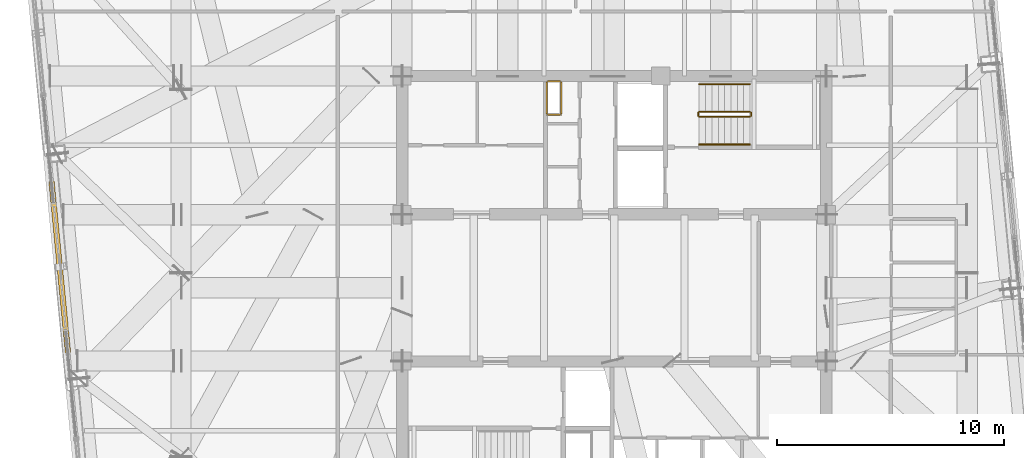
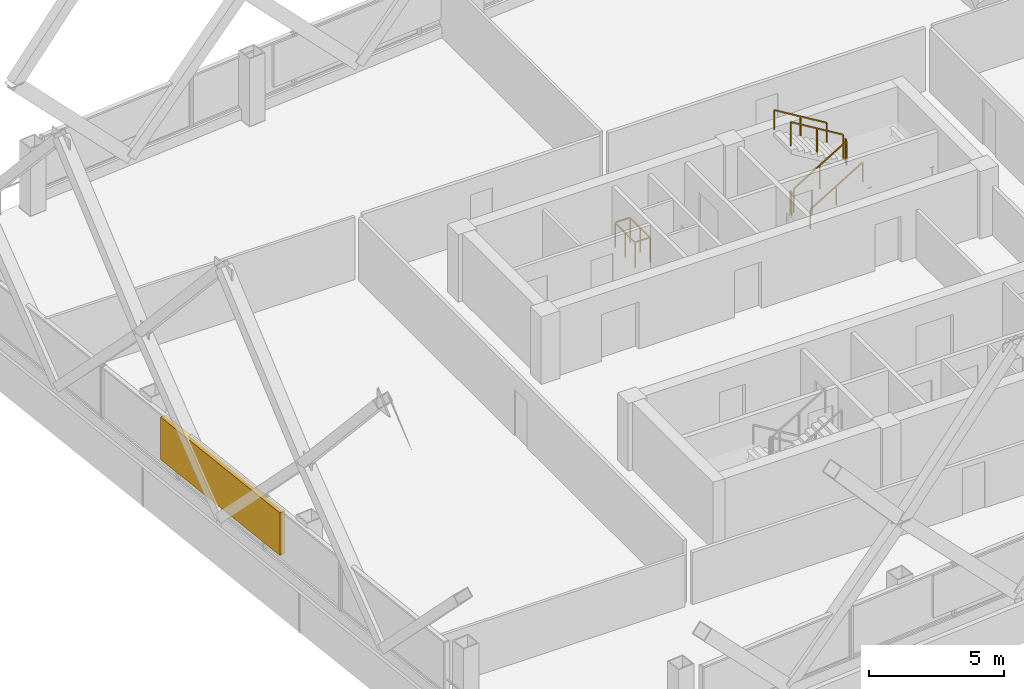
# One storey, part 36 of 37: 7 railings, 1 shading device.
"""IFC4 building model written with IfcOpenShell, lengths in metres."""

from ifc_helpers import new_model, si_unit, direction, frame, origin, origin_2d, place, context, subcontext, project, spatial, rectangle, extrude, material, type_object, element, save


model = new_model("IFC4")

# Units and contexts
model_context = context("Model", 3, precision=1e-05, world=origin(), true_north=direction((0.0, 1.0)))
body_context = subcontext(model_context, "Body", "Model", "MODEL_VIEW")
ifc_project = project(units=[si_unit("LENGTHUNIT", "METRE"), si_unit("AREAUNIT", "SQUARE_METRE"), si_unit("VOLUMEUNIT", "CUBIC_METRE"), si_unit("PLANEANGLEUNIT", "RADIAN"), si_unit("MASSUNIT", "GRAM", prefix="KILO")], contexts=[model_context])

# Site, building, storey
site_placement = place(None, origin())
site = spatial("IfcSite", under=ifc_project, at=site_placement, CompositionType="ELEMENT")
building_placement = place(site_placement, origin())
building = spatial("IfcBuilding", under=site, at=building_placement, Name="Qhalaya Broadcast Tower", CompositionType="ELEMENT")
storey_placement = place(building_placement, frame((0.0, 0.0, 156.14990234375)))
storey = spatial("IfcBuildingStorey", under=building, at=storey_placement, Name="L45", CompositionType="ELEMENT", Elevation=156.14990234375)

# Railings
ifc_material_1 = material(Name="Powder-Coated Galvanised Steel", Category="steel")
railing_type_1 = type_object("IfcRailingType", Name="Stair Wall Handrail 900", PredefinedType="HANDRAIL", material=ifc_material_1)
railing_1_placement = place(storey_placement, frame((3.75, 6.929931640625, 0.16943359375)))
element("IfcRailing", 1, at=railing_1_placement, inside=storey, type_object=railing_type_1, Name="L45 ST-1 Stair Handrail 1", PredefinedType="HANDRAIL", context=body_context, shape_type="SweptSolid", body=[
    extrude(rectangle(XDim=0.048095703125, YDim=0.048095703125, at=origin_2d()), frame((0.0, 0.0, 0.8759765625), z_axis=(0.855512035549, 0.0, 0.517782924622), x_axis=(0.0, 1.0, 0.0)), (0.0, 0.0, 1.0), 2.618408203125),
    extrude(rectangle(XDim=0.0419921875, YDim=0.0419921875, at=origin_2d()), origin(), (0.0, 0.0, 1.0), 0.849853515625),
    extrude(rectangle(XDim=0.0419921875, YDim=0.0419921875, at=origin_2d()), frame((1.1201171875, 0.0, 0.677734375)), (0.0, 0.0, 1.0), 0.849853515625),
    extrude(rectangle(XDim=0.0419921875, YDim=0.0419921875, at=origin_2d()), frame((2.239990234375, 0.0, 1.355712890625)), (0.0, 0.0, 1.0), 0.849853515625),
])
railing_2_placement = place(storey_placement, frame((5.989990234375, 9.590087890625, 1.694580078125)))
element("IfcRailing", 2, at=railing_2_placement, inside=storey, type_object=railing_type_1, Name="L45 ST-1 Stair Handrail 2", PredefinedType="HANDRAIL", context=body_context, shape_type="SweptSolid", body=[
    extrude(rectangle(XDim=0.048095703125, YDim=0.048095703125, at=origin_2d()), frame((0.0, 0.0, 0.8759765625), z_axis=(-0.855553338991, 0.0, 0.51771467445), x_axis=(0.0, -1.0, 0.0)), (0.0, 0.0, 1.0), 2.6181640625),
    extrude(rectangle(XDim=0.0419921875, YDim=0.0419921875, at=origin_2d()), origin(), (0.0, 0.0, 1.0), 0.849853515625),
    extrude(rectangle(XDim=0.0419921875, YDim=0.0419921875, at=origin_2d()), frame((-1.1201171875, 0.0, 0.677734375)), (0.0, 0.0, 1.0), 0.849853515625),
    extrude(rectangle(XDim=0.0419921875, YDim=0.0419921875, at=origin_2d()), frame((-2.239990234375, 0.0, 1.35546875)), (0.0, 0.0, 1.0), 0.849853515625),
])
railing_type_2 = type_object("IfcRailingType", Name="Stair Well & Landing Guardrail 1100", PredefinedType="GUARDRAIL", material=ifc_material_1)
railing_3_placement = place(storey_placement, frame((-2.340087890625, 8.239990234375, 0.0)))
element("IfcRailing", 3, at=railing_3_placement, inside=storey, type_object=railing_type_2, Name="L45 Service Riser Opening Safety Guard NRSR", PredefinedType="GUARDRAIL", context=body_context, shape_type="SweptSolid", body=[
    extrude(rectangle(XDim=0.048095703125, YDim=0.048095703125, at=origin_2d()), frame((0.0, 0.02880859375, 1.1259765625), z_axis=(0.0, 1.0, 0.0), x_axis=(-1.0, 0.0, 0.0)), (0.0, 0.0, 1.0), 1.42236328125),
    extrude(rectangle(XDim=0.048095703125, YDim=0.048095703125, at=origin_2d()), frame((-0.02880859375, 1.47998046875, 1.1259765625), z_axis=(-1.0, 0.0, 0.0), x_axis=(0.0, -1.0, 0.0)), (0.0, 0.0, 1.0), 0.582275390625),
    extrude(rectangle(XDim=0.048095703125, YDim=0.048095703125, at=origin_2d()), frame((-0.639892578125, 1.451171875, 1.1259765625), z_axis=(0.0, -1.0, 0.0), x_axis=(1.0, 0.0, 0.0)), (0.0, 0.0, 1.0), 1.42236328125),
    extrude(rectangle(XDim=0.048095703125, YDim=0.048095703125, at=origin_2d()), frame((-0.611083984375, 0.0, 1.1259765625), z_axis=(1.0, 0.0, 0.0), x_axis=(0.0, 1.0, 0.0)), (0.0, 0.0, 1.0), 0.582275390625),
    extrude(rectangle(XDim=0.0419921875, YDim=0.0419921875, at=origin_2d()), origin(), (0.0, 0.0, 1.0), 1.099853515625),
    extrude(rectangle(XDim=0.0419921875, YDim=0.0419921875, at=origin_2d()), frame((0.0, 0.739990234375, 0.0)), (0.0, 0.0, 1.0), 1.099853515625),
    extrude(rectangle(XDim=0.0419921875, YDim=0.0419921875, at=origin_2d()), frame((0.0, 1.47998046875, 0.0)), (0.0, 0.0, 1.0), 1.099853515625),
    extrude(rectangle(XDim=0.0419921875, YDim=0.0419921875, at=origin_2d()), frame((-0.639892578125, 1.47998046875, 0.0)), (0.0, 0.0, 1.0), 1.099853515625),
    extrude(rectangle(XDim=0.0419921875, YDim=0.0419921875, at=origin_2d()), frame((-0.639892578125, 0.739990234375, 0.0)), (0.0, 0.0, 1.0), 1.099853515625),
    extrude(rectangle(XDim=0.0419921875, YDim=0.0419921875, at=origin_2d()), frame((-0.639892578125, 0.0, 0.0)), (0.0, 0.0, 1.0), 1.099853515625),
])
railing_4_placement = place(storey_placement, frame((3.75, 8.14990234375, 0.16943359375)))
element("IfcRailing", 4, at=railing_4_placement, inside=storey, type_object=railing_type_2, Name="L45 ST-1 Stair Guard 1", PredefinedType="GUARDRAIL", context=body_context, shape_type="SweptSolid", body=[
    extrude(rectangle(XDim=0.048095703125, YDim=0.048095703125, at=origin_2d()), frame((0.0, 0.0, 1.076171875), z_axis=(0.855512035549, 0.0, 0.517782924622), x_axis=(0.0, 1.0, 0.0)), (0.0, 0.0, 1.0), 2.618408203125),
    extrude(rectangle(XDim=0.0419921875, YDim=0.0419921875, at=origin_2d()), origin(), (0.0, 0.0, 1.0), 1.050048828125),
    extrude(rectangle(XDim=0.0419921875, YDim=0.0419921875, at=origin_2d()), frame((1.1201171875, 0.0, 0.677734375)), (0.0, 0.0, 1.0), 1.050048828125),
    extrude(rectangle(XDim=0.0419921875, YDim=0.0419921875, at=origin_2d()), frame((2.239990234375, 0.0, 1.355712890625)), (0.0, 0.0, 1.0), 1.050048828125),
])
railing_5_placement = place(storey_placement, frame((6.0400390625, 8.199951171875, 1.525146484375)))
element("IfcRailing", 5, at=railing_5_placement, inside=storey, type_object=railing_type_2, Name="L45 ST-1 Stair Guard 2", PredefinedType="GUARDRAIL", context=body_context, shape_type="SweptSolid", body=[
    extrude(rectangle(XDim=0.048095703125, YDim=0.048095703125, at=origin_2d()), frame((0.0, 0.0, 1.076171875), z_axis=(0.0, 1.0, 0.0), x_axis=(-1.0, 0.0, 0.0)), (0.0, 0.0, 1.0), 0.1201171875),
    extrude(rectangle(XDim=0.0419921875, YDim=0.0419921875, at=origin_2d()), origin(), (0.0, 0.0, 1.0), 1.050048828125),
    extrude(rectangle(XDim=0.0419921875, YDim=0.0419921875, at=origin_2d()), frame((0.0, 0.1201171875, 0.0)), (0.0, 0.0, 1.0), 1.050048828125),
])
railing_6_placement = place(storey_placement, frame((5.989990234375, 8.3701171875, 1.694580078125)))
element("IfcRailing", 6, at=railing_6_placement, inside=storey, type_object=railing_type_2, Name="L45 ST-1 Stair Guard 3", PredefinedType="GUARDRAIL", context=body_context, shape_type="SweptSolid", body=[
    extrude(rectangle(XDim=0.048095703125, YDim=0.048095703125, at=origin_2d()), frame((0.0, 0.0, 1.076171875), z_axis=(-0.855553338991, 0.0, 0.51771467445), x_axis=(0.0, -1.0, 0.0)), (0.0, 0.0, 1.0), 2.6181640625),
    extrude(rectangle(XDim=0.0419921875, YDim=0.0419921875, at=origin_2d()), origin(), (0.0, 0.0, 1.0), 1.050048828125),
    extrude(rectangle(XDim=0.0419921875, YDim=0.0419921875, at=origin_2d()), frame((-1.1201171875, 0.0, 0.677734375)), (0.0, 0.0, 1.0), 1.050048828125),
    extrude(rectangle(XDim=0.0419921875, YDim=0.0419921875, at=origin_2d()), frame((-2.239990234375, 0.0, 1.35546875)), (0.0, 0.0, 1.0), 1.050048828125),
])
railing_7_placement = place(storey_placement, frame((3.699951171875, 8.199951171875, 0.0)))
element("IfcRailing", 7, at=railing_7_placement, inside=storey, type_object=railing_type_2, Name="L45 ST-1 Stair Guard 4", PredefinedType="GUARDRAIL", context=body_context, shape_type="SweptSolid", body=[
    extrude(rectangle(XDim=0.048095703125, YDim=0.048095703125, at=origin_2d()), frame((0.0, 0.0, 1.076171875), z_axis=(0.0, 1.0, 0.0), x_axis=(-1.0, 0.0, 0.0)), (0.0, 0.0, 1.0), 0.1201171875),
    extrude(rectangle(XDim=0.0419921875, YDim=0.0419921875, at=origin_2d()), origin(), (0.0, 0.0, 1.0), 1.050048828125),
    extrude(rectangle(XDim=0.0419921875, YDim=0.0419921875, at=origin_2d()), frame((0.0, 0.1201171875, 0.0)), (0.0, 0.0, 1.0), 1.050048828125),
])

# Shading device
ifc_material_2 = material(Name="Fired Architectural Terracotta", Category="masonry")
shading_device_type = type_object("IfcShadingDeviceType", Name="Terracotta Baguette Solar Screen Assembly TBS-01", PredefinedType="USERDEFINED", material=ifc_material_2)
shading_device_placement = place(storey_placement, frame((-24.47314453125, 1.5244140625, 0.79248046875), z_axis=(0.0, 0.0, 1.0), x_axis=(0.09584575252, -0.995396198367, 0.0)))
element("IfcShadingDevice", 8, at=shading_device_placement, inside=storey, type_object=shading_device_type, Name="L45 Fired Terracotta Baguette Screen W", ObjectType="BAGUETTE", PredefinedType="USERDEFINED", context=body_context, shape_type="SweptSolid", body=[
    extrude(rectangle(XDim=7.60009765625, YDim=0.239990234375, at=origin_2d()), origin(), (0.0, 0.0, 1.0), 1.924072265625),
])

save(model, "model.ifc")
